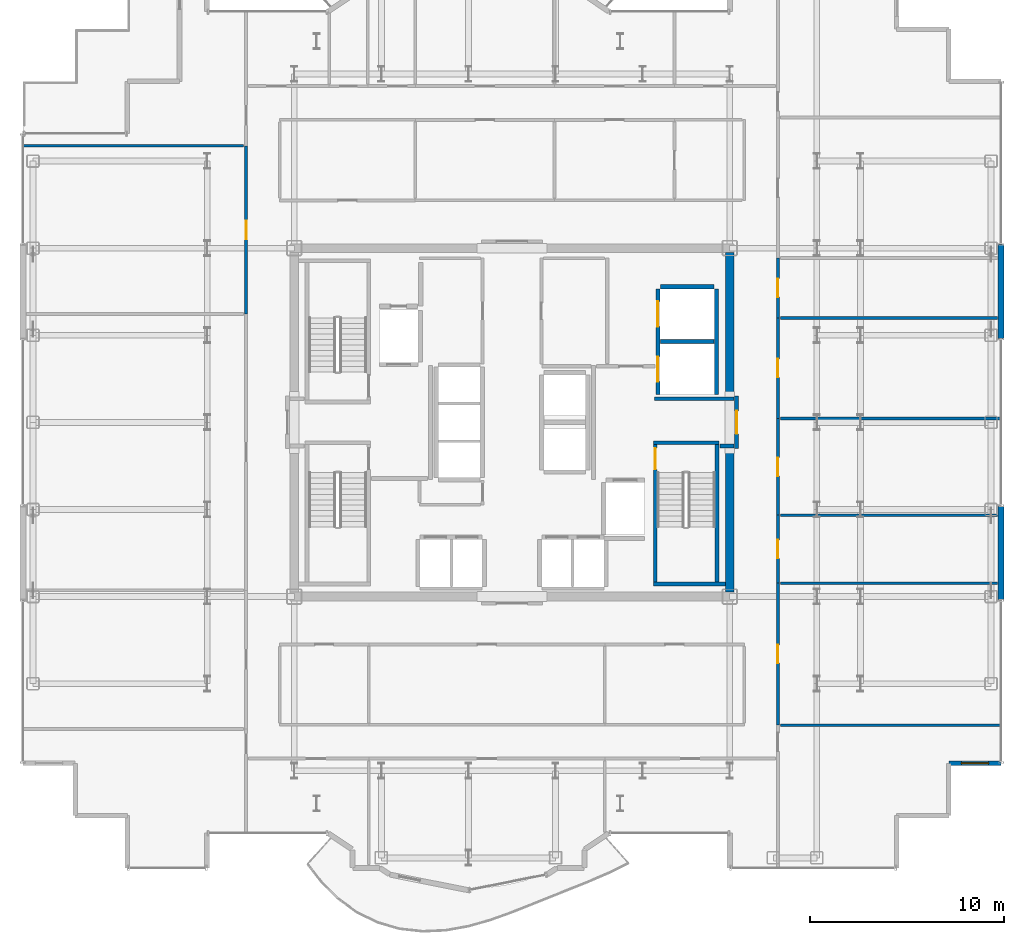
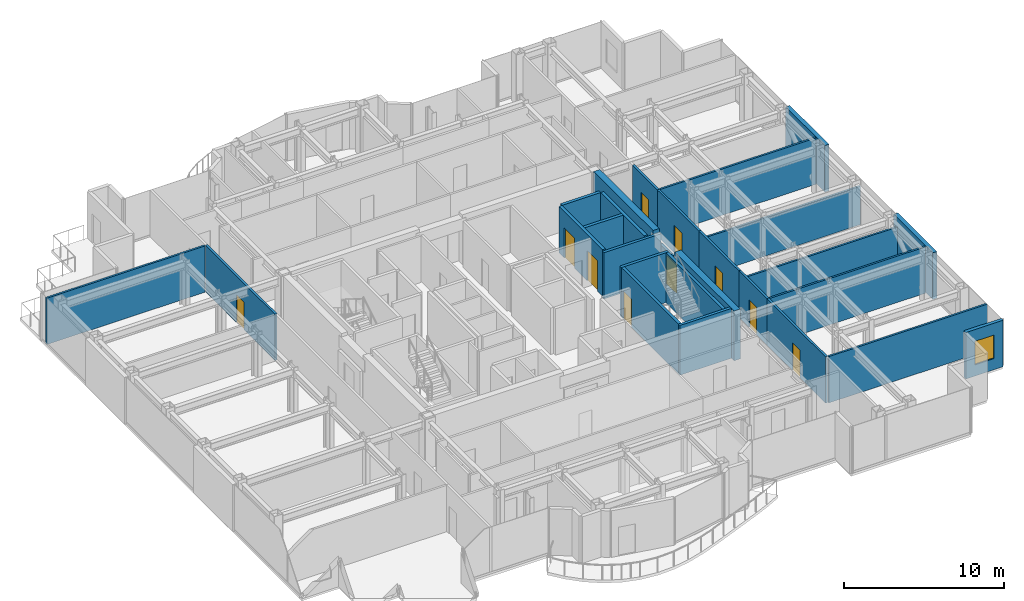
# One storey, part 18 of 22: 28 walls, 10 doors, 1 window, 11 openings.
"""IFC4 building model written with IfcOpenShell, lengths in metres."""

from ifc_helpers import new_model, si_unit, direction, frame, frame_2d, origin, place, context, subcontext, project, spatial, rectangle, extrude, source, transform, mapped, material, layer, layer_set, type_object, element, fill, save


model = new_model("IFC4")

# Units and contexts
model_context = context("Model", 3, precision=1e-05, world=origin(), true_north=direction((0.0, 1.0)))
body_context = subcontext(model_context, "Body", "Model", "MODEL_VIEW")
ifc_project = project(units=[si_unit("LENGTHUNIT", "METRE"), si_unit("AREAUNIT", "SQUARE_METRE"), si_unit("VOLUMEUNIT", "CUBIC_METRE"), si_unit("PLANEANGLEUNIT", "RADIAN"), si_unit("MASSUNIT", "GRAM", prefix="KILO")], contexts=[model_context])

# Site, building, storey
site_placement = place(None, origin())
site = spatial("IfcSite", under=ifc_project, at=site_placement, CompositionType="ELEMENT")
building_placement = place(site_placement, origin())
building = spatial("IfcBuilding", under=site, at=building_placement, Name="Nefas-Gora Pilgrimage Tower", CompositionType="ELEMENT")
storey_placement = place(building_placement, frame((0.0, 0.0, 240.800048828125)))
storey = spatial("IfcBuildingStorey", under=building, at=storey_placement, Name="L60", CompositionType="ELEMENT", Elevation=240.800048828125)

# Walls
ifc_material_1 = material(Name="Concrete C50/60", Category="concrete")
ifc_layer_1 = layer(ifc_material_1, 0.449951171875)
ifc_layer_set_1 = layer_set([ifc_layer_1], Name="Concrete C50/60")
wall_type_1 = type_object("IfcWallType", Name="SW-CORE-450", PredefinedType="SHEAR", material=ifc_layer_set_1)
shared_shape_1 = source(origin(), body_context, "Body", "SweptSolid", [
    extrude(rectangle(XDim=7.4248046875, YDim=0.449951171875, at=frame_2d((3.71240234375, 0.0))), origin(), (0.0, 0.0, 1.0), 3.800048828125),
])
for number, where, z_axis, x_axis, name in (
    (1, (11.25, -8.77490234375, 0.0), (0.0, 0.0, 1.0), (0.0, 1.0, 0.0), "L60 Core Shear Wall E-South"),
    (2, (11.25, 1.35009765625, 0.0), (0.0, 0.0, 1.0), (0.0, 1.0, 0.0), "L60 Core Shear Wall E-North"),
):
    element("IfcWall", number, at=place(storey_placement, frame(where, z_axis=z_axis, x_axis=x_axis)), inside=storey, type_object=wall_type_1, Name=name, PredefinedType="SHEAR", context=body_context, shape_type="MappedRepresentation", body=[
        mapped(shared_shape_1, transform((0.0, 0.0, 0.0), x_axis=(1.0, 0.0, 0.0), y_axis=(0.0, 1.0, 0.0), z_axis=(0.0, 0.0, 1.0), scale=1.0)),
    ])
ifc_material_2 = material(Name="Precast concrete C45/55", Category="concrete")
ifc_layer_2 = layer(ifc_material_2, 0.239990234375)
ifc_layer_set_2 = layer_set([ifc_layer_2], Name="Precast concrete C45/55")
wall_type_2 = type_object("IfcWallType", Name="EW-SERR-240", PredefinedType="SHEAR", material=ifc_layer_set_2)
shared_shape_2 = source(origin(), body_context, "Body", "SweptSolid", [
    extrude(rectangle(XDim=4.8798828125, YDim=0.300048828125, at=frame_2d((2.43994140625, 0.0))), origin(), (0.0, 0.0, 1.0), 3.550048828125),
])
for number, where, z_axis, x_axis, name in (
    (3, (25.27001953125, -9.18994140625, 0.0), (0.0, 0.0, 1.0), (0.0, 1.0, 0.0), "L60 Braced-Tube Precast Shear Cladding 3"),
    (4, (25.27001953125, 4.31005859375, 0.0), (0.0, 0.0, 1.0), (0.0, 1.0, 0.0), "L60 Braced-Tube Precast Shear Cladding 4"),
):
    element("IfcWall", number, at=place(storey_placement, frame(where, z_axis=z_axis, x_axis=x_axis)), inside=storey, type_object=wall_type_2, Name=name, PredefinedType="SHEAR", context=body_context, shape_type="MappedRepresentation", body=[
        mapped(shared_shape_2, transform((0.0, 0.0, 0.0), x_axis=(1.0, 0.0, 0.0), y_axis=(0.0, 1.0, 0.0), z_axis=(0.0, 0.0, 1.0), scale=1.0)),
    ])

# Wall, opening, window
shared_shape_3 = source(origin(), body_context, "Body", "SweptSolid", [
    extrude(rectangle(XDim=2.699951171875, YDim=0.239990234375, at=frame_2d((1.35009765625, 0.0))), origin(), (0.0, 0.0, 1.0), 3.550048828125),
])
wall_1_placement = place(storey_placement, frame((22.570068359375, -17.6201171875, 0.0), z_axis=(0.0, 0.0, 1.0), x_axis=(1.0, 0.0, 0.0)))
wall_1 = element("IfcWall", 5, at=wall_1_placement, inside=storey, type_object=wall_type_2, Name="L60 Serrated Corner Shear Pier Wall 9", PredefinedType="SHEAR", context=body_context, shape_type="MappedRepresentation", body=[
    mapped(shared_shape_3, transform((0.0, 0.0, 0.0), x_axis=(1.0, 0.0, 0.0), y_axis=(0.0, 1.0, 0.0), z_axis=(0.0, 0.0, 1.0), scale=1.0)),
])
opening_1_placement = place(wall_1_placement, frame((0.64990234375, 0.0, 0.85009765625)))
opening_1 = element("IfcOpeningElement", 6, at=opening_1_placement, cuts=wall_1, Name="Opening W-V2", PredefinedType="OPENING", context=body_context, shape_type="SweptSolid", body=[
    extrude(rectangle(XDim=1.39990234375, YDim=1.800048828125, at=frame_2d((0.699951171875, 0.89990234375))), frame((0.0, 0.1298828125, 0.0), z_axis=(0.0, -1.0, 0.0), x_axis=(1.0, 0.0, 0.0)), (0.0, 0.0, 1.0), 0.260009765625),
])
ifc_material_3 = material(Name="Dark ceramic-fritted operable aluminium-glass window", Category="aluminium")
window_type = type_object("IfcWindowType", Name="WIN-VENT-1400x1800", PartitioningType="SINGLE_PANEL", PredefinedType="WINDOW", material=ifc_material_3)
shared_shape_4 = source(origin(), body_context, "Body", "SweptSolid", [
    extrude(rectangle(XDim=1.39990234375, YDim=1.800048828125, at=frame_2d((0.699951171875, 0.89990234375))), frame((0.0, 0.030029296875, 0.0), z_axis=(0.0, -1.0, 0.0), x_axis=(1.0, 0.0, 0.0)), (0.0, 0.0, 1.0), 0.06005859375),
])
window_placement = place(opening_1_placement, origin())
window = element("IfcWindow", 7, at=window_placement, inside=storey, type_object=window_type, Name="L60 Operable Parallel-Outswing Window 9", OverallHeight=1.800048828125, OverallWidth=1.39990234375, PartitioningType="SINGLE_PANEL", PredefinedType="WINDOW", context=body_context, shape_type="MappedRepresentation", body=[
    mapped(shared_shape_4, transform((0.0, 0.0, 0.0), x_axis=(1.0, 0.0, 0.0), y_axis=(0.0, 1.0, 0.0), z_axis=(0.0, 0.0, 1.0), scale=1.0)),
])
fill(opening_1, window)

# Wall
ifc_material_4 = material(Name="Concrete C45/55", Category="concrete")
ifc_layer_3 = layer(ifc_material_4, 0.199951171875)
ifc_layer_set_3 = layer_set([ifc_layer_3], Name="Concrete C45/55")
wall_type_3 = type_object("IfcWallType", Name="IW-STAIR-200", PredefinedType="SOLIDWALL", material=ifc_layer_set_3)
shared_shape_5 = source(origin(), body_context, "Body", "SweptSolid", [
    extrude(rectangle(XDim=3.39990234375, YDim=0.199951171875, at=frame_2d((1.699951171875, 0.0))), origin(), (0.0, 0.0, 1.0), 3.800048828125),
])
wall_2_placement = place(storey_placement, frame((7.300048828125, -1.050048828125, 0.0), z_axis=(0.0, 0.0, 1.0), x_axis=(1.0, 0.0, 0.0)))
element("IfcWall", 8, at=wall_2_placement, inside=storey, type_object=wall_type_3, Name="L60 Stairwell Shear Wall ST-02-near", PredefinedType="SOLIDWALL", context=body_context, shape_type="MappedRepresentation", body=[
    mapped(shared_shape_5, transform((0.0, 0.0, 0.0), x_axis=(1.0, 0.0, 0.0), y_axis=(0.0, 1.0, 0.0), z_axis=(0.0, 0.0, 1.0), scale=1.0)),
])

# Wall, opening, door
shared_shape_6 = source(origin(), body_context, "Body", "SweptSolid", [
    extrude(rectangle(XDim=7.10009765625, YDim=0.199951171875, at=frame_2d((3.550048828125, 0.0))), origin(), (0.0, 0.0, 1.0), 3.800048828125),
])
wall_3_placement = place(storey_placement, frame((7.39990234375, -1.14990234375, 0.0), z_axis=(0.0, 0.0, 1.0), x_axis=(0.0, -1.0, 0.0)))
wall_3 = element("IfcWall", 9, at=wall_3_placement, inside=storey, type_object=wall_type_3, Name="L60 Stairwell Shear Wall ST-02-left", PredefinedType="SOLIDWALL", context=body_context, shape_type="MappedRepresentation", body=[
    mapped(shared_shape_6, transform((0.0, 0.0, 0.0), x_axis=(1.0, 0.0, 0.0), y_axis=(0.0, 1.0, 0.0), z_axis=(0.0, 0.0, 1.0), scale=1.0)),
])
opening_2_placement = place(wall_3_placement, frame((0.179931640625, 0.0, 0.0)))
opening_2 = element("IfcOpeningElement", 10, at=opening_2_placement, cuts=wall_3, Name="Opening ID-ST1", PredefinedType="OPENING", context=body_context, shape_type="SweptSolid", body=[
    extrude(rectangle(XDim=1.10009765625, YDim=2.14990234375, at=frame_2d((0.550048828125, 1.074951171875))), frame((0.0, 0.10986328125, 0.0), z_axis=(0.0, -1.0, 0.0), x_axis=(1.0, 0.0, 0.0)), (0.0, 0.0, 1.0), 0.219970703125),
])
ifc_material_5 = material(Name="Painted galvanised steel fire stair door", Category="steel")
door_type_1 = type_object("IfcDoorType", Name="DR-INT-STAIR-1100", OperationType="NOTDEFINED", PredefinedType="DOOR", material=ifc_material_5)
shared_shape_7 = source(origin(), body_context, "Body", "SweptSolid", [
    extrude(rectangle(XDim=1.10009765625, YDim=2.14990234375, at=frame_2d((0.550048828125, 1.074951171875))), frame((0.0, 0.02490234375, 0.0), z_axis=(0.0, -1.0, 0.0), x_axis=(1.0, 0.0, 0.0)), (0.0, 0.0, 1.0), 0.050048828125),
])
door_1_placement = place(opening_2_placement, origin())
door_1 = element("IfcDoor", 11, at=door_1_placement, inside=storey, type_object=door_type_1, Name="L60 Protected Exit Stair Door ST-02", OperationType="SINGLE_SWING_LEFT", OverallHeight=2.14990234375, OverallWidth=1.10009765625, PredefinedType="DOOR", context=body_context, shape_type="MappedRepresentation", body=[
    mapped(shared_shape_7, transform((0.0, 0.0, 0.0), x_axis=(1.0, 0.0, 0.0), y_axis=(0.0, 1.0, 0.0), z_axis=(0.0, 0.0, 1.0), scale=1.0)),
])
fill(opening_2, door_1)

# Walls
wall_4_placement = place(storey_placement, frame((10.60009765625, -1.14990234375, 0.0), z_axis=(0.0, 0.0, 1.0), x_axis=(0.0, -1.0, 0.0)))
element("IfcWall", 12, at=wall_4_placement, inside=storey, type_object=wall_type_3, Name="L60 Stairwell Shear Wall ST-02-right", PredefinedType="SOLIDWALL", context=body_context, shape_type="MappedRepresentation", body=[
    mapped(shared_shape_6, transform((0.0, 0.0, 0.0), x_axis=(1.0, 0.0, 0.0), y_axis=(0.0, 1.0, 0.0), z_axis=(0.0, 0.0, 1.0), scale=1.0)),
])
shared_shape_8 = source(origin(), body_context, "Body", "SweptSolid", [
    extrude(rectangle(XDim=3.72998046875, YDim=0.199951171875, at=frame_2d((1.864990234375, 0.0))), origin(), (0.0, 0.0, 1.0), 3.800048828125),
])
wall_5_placement = place(storey_placement, frame((7.300048828125, -8.35009765625, 0.0), z_axis=(0.0, 0.0, 1.0), x_axis=(1.0, 0.0, 0.0)))
element("IfcWall", 13, at=wall_5_placement, inside=storey, type_object=wall_type_3, Name="L60 Stairwell Shear Wall ST-02-far", PredefinedType="SOLIDWALL", context=body_context, shape_type="MappedRepresentation", body=[
    mapped(shared_shape_8, transform((0.0, 0.0, 0.0), x_axis=(1.0, 0.0, 0.0), y_axis=(0.0, 1.0, 0.0), z_axis=(0.0, 0.0, 1.0), scale=1.0)),
])

# Wall, openings, doors
ifc_material_6 = material(Name="Concrete C40/50", Category="concrete")
ifc_layer_4 = layer(ifc_material_6, 0.219970703125)
ifc_layer_set_4 = layer_set([ifc_layer_4], Name="Concrete C40/50")
wall_type_4 = type_object("IfcWallType", Name="IW-SHAFT-220", PredefinedType="SOLIDWALL", material=ifc_layer_set_4)
shared_shape_9 = source(origin(), body_context, "Body", "SweptSolid", [
    extrude(rectangle(XDim=5.449951171875, YDim=0.219970703125, at=frame_2d((2.72509765625, 0.0))), origin(), (0.0, 0.0, 1.0), 3.534912109375),
])
wall_6_placement = place(storey_placement, frame((7.5400390625, 6.89990234375, 0.0), z_axis=(0.0, 0.0, 1.0), x_axis=(0.0, -1.0, 0.0)))
wall_6 = element("IfcWall", 14, at=wall_6_placement, inside=storey, type_object=wall_type_4, Name="L60 Hoistway Wall SL-01-02-W", PredefinedType="SOLIDWALL", context=body_context, shape_type="MappedRepresentation", body=[
    mapped(shared_shape_9, transform((0.0, 0.0, 0.0), x_axis=(1.0, 0.0, 0.0), y_axis=(0.0, 1.0, 0.0), z_axis=(0.0, 0.0, 1.0), scale=1.0)),
])
opening_3_placement = place(wall_6_placement, frame((3.5, 0.0, 0.0)))
opening_3 = element("IfcOpeningElement", 15, at=opening_3_placement, cuts=wall_6, Name="Opening LD-SV", PredefinedType="OPENING", context=body_context, shape_type="SweptSolid", body=[
    extrude(rectangle(XDim=1.300048828125, YDim=2.300048828125, at=frame_2d((0.64990234375, 1.14990234375))), frame((0.0, 0.119873046875, 0.0), z_axis=(0.0, -1.0, 0.0), x_axis=(1.0, 0.0, 0.0)), (0.0, 0.0, 1.0), 0.239990234375),
])
opening_4_placement = place(wall_6_placement, frame((0.64990234375, 0.0, 0.0)))
opening_4 = element("IfcOpeningElement", 16, at=opening_4_placement, cuts=wall_6, Name="Opening LD-SV", PredefinedType="OPENING", context=body_context, shape_type="SweptSolid", body=[
    extrude(rectangle(XDim=1.300048828125, YDim=2.300048828125, at=frame_2d((0.64990234375, 1.14990234375))), frame((0.0, 0.119873046875, 0.0), z_axis=(0.0, -1.0, 0.0), x_axis=(1.0, 0.0, 0.0)), (0.0, 0.0, 1.0), 0.239990234375),
])
ifc_material_7 = material(Name="Heavy goods sliding lift landing door")
door_type_2 = type_object("IfcDoorType", Name="DR-LIFT-SERV-1300", OperationType="SLIDING_TO_RIGHT", PredefinedType="DOOR", material=ifc_material_7)
shared_shape_10 = source(origin(), body_context, "Body", "SweptSolid", [
    extrude(rectangle(XDim=1.300048828125, YDim=2.300048828125, at=frame_2d((0.64990234375, 1.14990234375))), frame((0.0, 0.02490234375, 0.0), z_axis=(0.0, -1.0, 0.0), x_axis=(1.0, 0.0, 0.0)), (0.0, 0.0, 1.0), 0.050048828125),
])
door_2_placement = place(opening_3_placement, origin())
door_2 = element("IfcDoor", 17, at=door_2_placement, inside=storey, type_object=door_type_2, Name="L60 Sliding Lift Landing Door SL-01", OperationType="SLIDING_TO_RIGHT", OverallHeight=2.300048828125, OverallWidth=1.300048828125, PredefinedType="DOOR", context=body_context, shape_type="MappedRepresentation", body=[
    mapped(shared_shape_10, transform((0.0, 0.0, 0.0), x_axis=(1.0, 0.0, 0.0), y_axis=(0.0, 1.0, 0.0), z_axis=(0.0, 0.0, 1.0), scale=1.0)),
])
fill(opening_3, door_2)
door_3_placement = place(opening_4_placement, origin())
door_3 = element("IfcDoor", 18, at=door_3_placement, inside=storey, type_object=door_type_2, Name="L60 Sliding Lift Landing Door SL-02", OperationType="SLIDING_TO_RIGHT", OverallHeight=2.300048828125, OverallWidth=1.300048828125, PredefinedType="DOOR", context=body_context, shape_type="MappedRepresentation", body=[
    mapped(shared_shape_10, transform((0.0, 0.0, 0.0), x_axis=(1.0, 0.0, 0.0), y_axis=(0.0, 1.0, 0.0), z_axis=(0.0, 0.0, 1.0), scale=1.0)),
])
fill(opening_4, door_3)

# Walls
wall_7_placement = place(storey_placement, frame((10.56005859375, 1.449951171875, 0.0), z_axis=(0.0, 0.0, 1.0), x_axis=(0.0, 1.0, 0.0)))
element("IfcWall", 19, at=wall_7_placement, inside=storey, type_object=wall_type_4, Name="L60 Hoistway Wall SL-01-02-E", PredefinedType="SOLIDWALL", context=body_context, shape_type="MappedRepresentation", body=[
    mapped(shared_shape_9, transform((0.0, 0.0, 0.0), x_axis=(1.0, 0.0, 0.0), y_axis=(0.0, 1.0, 0.0), z_axis=(0.0, 0.0, 1.0), scale=1.0)),
])
shared_shape_11 = source(origin(), body_context, "Body", "SweptSolid", [
    extrude(rectangle(XDim=2.780029296875, YDim=0.219970703125, at=frame_2d((1.39013671875, 0.0))), origin(), (0.0, 0.0, 1.0), 3.534912109375),
])
for number, where, z_axis, x_axis, name in (
    (20, (7.659912109375, 4.175048828125, 0.0), (0.0, 0.0, 1.0), (1.0, 0.0, 0.0), "L60 Hoistway Wall SL-01-02-DIV"),
    (21, (10.43994140625, 7.010009765625, 0.0), (0.0, 0.0, 1.0), (-1.0, 0.0, 0.0), "L60 Hoistway Wall SL-02-N"),
):
    element("IfcWall", number, at=place(storey_placement, frame(where, z_axis=z_axis, x_axis=x_axis)), inside=storey, type_object=wall_type_4, Name=name, PredefinedType="SOLIDWALL", context=body_context, shape_type="MappedRepresentation", body=[
        mapped(shared_shape_11, transform((0.0, 0.0, 0.0), x_axis=(1.0, 0.0, 0.0), y_axis=(0.0, 1.0, 0.0), z_axis=(0.0, 0.0, 1.0), scale=1.0)),
    ])
ifc_material_8 = material(Name="Gypsum fire-rated shaftwall")
ifc_layer_5 = layer(ifc_material_8, 0.199951171875)
ifc_layer_set_5 = layer_set([ifc_layer_5], Name="Gypsum fire-rated shaftwall")
wall_type_5 = type_object("IfcWallType", Name="IW-FFLOB-200", PredefinedType="PARTITIONING", material=ifc_layer_set_5)
shared_shape_12 = source(origin(), body_context, "Body", "SweptSolid", [
    extrude(rectangle(XDim=0.719970703125, YDim=0.199951171875, at=frame_2d((0.35986328125, 0.0))), origin(), (0.0, 0.0, 1.0), 3.534912109375),
])
wall_8_placement = place(storey_placement, frame((10.739990234375, -1.219970703125, 0.0), z_axis=(0.0, 0.0, 1.0), x_axis=(1.0, 0.0, 0.0)))
element("IfcWall", 22, at=wall_8_placement, inside=storey, type_object=wall_type_5, Name="L60 FF Lobby East Throat S Wall 14", PredefinedType="PARTITIONING", context=body_context, shape_type="MappedRepresentation", body=[
    mapped(shared_shape_12, transform((0.0, 0.0, 0.0), x_axis=(1.0, 0.0, 0.0), y_axis=(0.0, 1.0, 0.0), z_axis=(0.0, 0.0, 1.0), scale=1.0)),
])
shared_shape_13 = source(origin(), body_context, "Body", "SweptSolid", [
    extrude(rectangle(XDim=4.10986328125, YDim=0.199951171875, at=frame_2d((2.054931640625, 0.0))), origin(), (0.0, 0.0, 1.0), 3.534912109375),
])
wall_9_placement = place(storey_placement, frame((7.35009765625, 1.219970703125, 0.0), z_axis=(0.0, 0.0, 1.0), x_axis=(1.0, 0.0, 0.0)))
element("IfcWall", 23, at=wall_9_placement, inside=storey, type_object=wall_type_5, Name="L60 FF Lobby East Throat N Wall 13", PredefinedType="PARTITIONING", context=body_context, shape_type="MappedRepresentation", body=[
    mapped(shared_shape_13, transform((0.0, 0.0, 0.0), x_axis=(1.0, 0.0, 0.0), y_axis=(0.0, 1.0, 0.0), z_axis=(0.0, 0.0, 1.0), scale=1.0)),
])

# Wall, opening, door
ifc_material_9 = material(Name="Gypsum acoustic stud partition")
ifc_layer_6 = layer(ifc_material_9, 0.159912109375)
ifc_layer_set_6 = layer_set([ifc_layer_6], Name="Gypsum acoustic stud partition")
wall_type_6 = type_object("IfcWallType", Name="IW-CORR-160", PredefinedType="PARTITIONING", material=ifc_layer_set_6)
shared_shape_14 = source(origin(), body_context, "Body", "SweptSolid", [
    extrude(rectangle(XDim=3.510009765625, YDim=0.159912109375, at=frame_2d((1.7548828125, 0.0))), origin(), (0.0, 0.0, 1.0), 3.534912109375),
])
wall_10_placement = place(storey_placement, frame((13.739990234375, -8.304931640625, 0.0), z_axis=(0.0, 0.0, 1.0), x_axis=(0.0, 1.0, 0.0)))
wall_10 = element("IfcWall", 24, at=wall_10_placement, inside=storey, type_object=wall_type_6, Name="L60 Scripture Reading Study Partition Wall 41", PredefinedType="PARTITIONING", context=body_context, shape_type="MappedRepresentation", body=[
    mapped(shared_shape_14, transform((0.0, 0.0, 0.0), x_axis=(1.0, 0.0, 0.0), y_axis=(0.0, 1.0, 0.0), z_axis=(0.0, 0.0, 1.0), scale=1.0)),
])
opening_5_placement = place(wall_10_placement, frame((1.280029296875, 0.0, 0.0)))
opening_5 = element("IfcOpeningElement", 25, at=opening_5_placement, cuts=wall_10, Name="Opening ID-GR1", PredefinedType="OPENING", context=body_context, shape_type="SweptSolid", body=[
    extrude(rectangle(XDim=0.949951171875, YDim=2.10009765625, at=frame_2d((0.47509765625, 1.050048828125))), frame((0.0, 0.08984375, 0.0), z_axis=(0.0, -1.0, 0.0), x_axis=(1.0, 0.0, 0.0)), (0.0, 0.0, 1.0), 0.179931640625),
])
ifc_material_10 = material(Name="Solid core oak fire-rated guest entrance door")
door_type_3 = type_object("IfcDoorType", Name="DR-INT-GUEST-950", OperationType="NOTDEFINED", PredefinedType="DOOR", material=ifc_material_10)
shared_shape_15 = source(origin(), body_context, "Body", "SweptSolid", [
    extrude(rectangle(XDim=0.949951171875, YDim=2.10009765625, at=frame_2d((0.47509765625, 1.050048828125))), frame((0.0, 0.02490234375, 0.0), z_axis=(0.0, -1.0, 0.0), x_axis=(1.0, 0.0, 0.0)), (0.0, 0.0, 1.0), 0.050048828125),
])
door_4_placement = place(opening_5_placement, origin())
door_4 = element("IfcDoor", 26, at=door_4_placement, inside=storey, type_object=door_type_3, Name="L60 Scripture Reading Study Door 18", OperationType="SINGLE_SWING_RIGHT", OverallHeight=2.10009765625, OverallWidth=0.949951171875, PredefinedType="DOOR", context=body_context, shape_type="MappedRepresentation", body=[
    mapped(shared_shape_15, transform((0.0, 0.0, 0.0), x_axis=(1.0, 0.0, 0.0), y_axis=(0.0, 1.0, 0.0), z_axis=(0.0, 0.0, 1.0), scale=1.0)),
])
fill(opening_5, door_4)

shared_shape_16 = source(origin(), body_context, "Body", "SweptSolid", [
    extrude(rectangle(XDim=3.10986328125, YDim=0.159912109375, at=frame_2d((1.554931640625, 0.0))), origin(), (0.0, 0.0, 1.0), 3.534912109375),
])
wall_11_placement = place(storey_placement, frame((13.739990234375, 5.39501953125, 0.0), z_axis=(0.0, 0.0, 1.0), x_axis=(0.0, 1.0, 0.0)))
wall_11 = element("IfcWall", 27, at=wall_11_placement, inside=storey, type_object=wall_type_6, Name="L60 Pilgrim Contemplative Lounge Partition Wall 47", PredefinedType="PARTITIONING", context=body_context, shape_type="MappedRepresentation", body=[
    mapped(shared_shape_16, transform((0.0, 0.0, 0.0), x_axis=(1.0, 0.0, 0.0), y_axis=(0.0, 1.0, 0.0), z_axis=(0.0, 0.0, 1.0), scale=1.0)),
])
opening_6_placement = place(wall_11_placement, frame((1.080078125, 0.0, 0.0)))
opening_6 = element("IfcOpeningElement", 28, at=opening_6_placement, cuts=wall_11, Name="Opening ID-GR1", PredefinedType="OPENING", context=body_context, shape_type="SweptSolid", body=[
    extrude(rectangle(XDim=0.949951171875, YDim=2.10009765625, at=frame_2d((0.47509765625, 1.050048828125))), frame((0.0, 0.08984375, 0.0), z_axis=(0.0, -1.0, 0.0), x_axis=(1.0, 0.0, 0.0)), (0.0, 0.0, 1.0), 0.179931640625),
])
door_5_placement = place(opening_6_placement, origin())
door_5 = element("IfcDoor", 29, at=door_5_placement, inside=storey, type_object=door_type_3, Name="L60 Pilgrim Contemplative Lounge Door 21", OperationType="SINGLE_SWING_LEFT", OverallHeight=2.10009765625, OverallWidth=0.949951171875, PredefinedType="DOOR", context=body_context, shape_type="MappedRepresentation", body=[
    mapped(shared_shape_15, transform((0.0, 0.0, 0.0), x_axis=(1.0, 0.0, 0.0), y_axis=(0.0, 1.0, 0.0), z_axis=(0.0, 0.0, 1.0), scale=1.0)),
])
fill(opening_6, door_5)

# Walls
ifc_material_11 = material(Name="Gypsum twin-stud partition")
ifc_layer_7 = layer(ifc_material_11, 0.139892578125)
ifc_layer_set_7 = layer_set([ifc_layer_7], Name="Gypsum twin-stud partition")
wall_type_7 = type_object("IfcWallType", Name="IW-UNIT-140", PredefinedType="PARTITIONING", material=ifc_layer_set_7)
shared_shape_17 = source(origin(), body_context, "Body", "SweptSolid", [
    extrude(rectangle(XDim=11.429931640625, YDim=0.139892578125, at=frame_2d((5.71484375, 0.0))), origin(), (0.0, 0.0, 1.0), 3.534912109375),
])
for number, where, z_axis, x_axis, name in (
    (30, (-25.2900390625, 14.297607421875, 0.0), (0.0, 0.0, 1.0), (1.0, 0.0, 0.0), "L60 Pastoral Chaplains Counselling Office Partition Wall 35"),
    (31, (13.860107421875, -15.6474609375, 0.0), (0.0, 0.0, 1.0), (1.0, 0.0, 0.0), "L60 Pilgrim Tea and Beverage Pantry Partition Wall 38"),
):
    element("IfcWall", number, at=place(storey_placement, frame(where, z_axis=z_axis, x_axis=x_axis)), inside=storey, type_object=wall_type_7, Name=name, PredefinedType="PARTITIONING", context=body_context, shape_type="MappedRepresentation", body=[
        mapped(shared_shape_17, transform((0.0, 0.0, 0.0), x_axis=(1.0, 0.0, 0.0), y_axis=(0.0, 1.0, 0.0), z_axis=(0.0, 0.0, 1.0), scale=1.0)),
    ])
shared_shape_18 = source(origin(), body_context, "Body", "SweptSolid", [
    extrude(rectangle(XDim=11.219970703125, YDim=0.139892578125, at=frame_2d((5.60986328125, 0.0))), origin(), (0.0, 0.0, 1.0), 3.534912109375),
])
for number, where, z_axis, x_axis, name in (
    (32, (13.860107421875, -8.304931640625, 0.0), (0.0, 0.0, 1.0), (1.0, 0.0, 0.0), "L60 Pilgrim Tea and Beverage Pantry Partition Wall 40"),
    (33, (13.860107421875, 5.39501953125, 0.0), (0.0, 0.0, 1.0), (1.0, 0.0, 0.0), "L60 Pilgrim Fellowship Seminar Room Partition Wall 46"),
):
    element("IfcWall", number, at=place(storey_placement, frame(where, z_axis=z_axis, x_axis=x_axis)), inside=storey, type_object=wall_type_7, Name=name, PredefinedType="PARTITIONING", context=body_context, shape_type="MappedRepresentation", body=[
        mapped(shared_shape_18, transform((0.0, 0.0, 0.0), x_axis=(1.0, 0.0, 0.0), y_axis=(0.0, 1.0, 0.0), z_axis=(0.0, 0.0, 1.0), scale=1.0)),
    ])

# Wall, opening, door
shared_shape_19 = source(origin(), body_context, "Body", "SweptSolid", [
    extrude(rectangle(XDim=5.010009765625, YDim=0.159912109375, at=frame_2d((2.5048828125, 0.0))), origin(), (0.0, 0.0, 1.0), 3.534912109375),
])
wall_12_placement = place(storey_placement, frame((13.739990234375, -4.804931640625, 0.0), z_axis=(0.0, 0.0, 1.0), x_axis=(0.0, 1.0, 0.0)))
wall_12 = element("IfcWall", 34, at=wall_12_placement, inside=storey, type_object=wall_type_6, Name="L60 Pilgrim Tea and Beverage Pantry Partition Wall 43", PredefinedType="PARTITIONING", context=body_context, shape_type="MappedRepresentation", body=[
    mapped(shared_shape_19, transform((0.0, 0.0, 0.0), x_axis=(1.0, 0.0, 0.0), y_axis=(0.0, 1.0, 0.0), z_axis=(0.0, 0.0, 1.0), scale=1.0)),
])
opening_7_placement = place(wall_12_placement, frame((2.030029296875, 0.0, 0.0)))
opening_7 = element("IfcOpeningElement", 35, at=opening_7_placement, cuts=wall_12, Name="Opening ID-GR1", PredefinedType="OPENING", context=body_context, shape_type="SweptSolid", body=[
    extrude(rectangle(XDim=0.949951171875, YDim=2.10009765625, at=frame_2d((0.47509765625, 1.050048828125))), frame((0.0, 0.08984375, 0.0), z_axis=(0.0, -1.0, 0.0), x_axis=(1.0, 0.0, 0.0)), (0.0, 0.0, 1.0), 0.179931640625),
])
door_6_placement = place(opening_7_placement, origin())
door_6 = element("IfcDoor", 36, at=door_6_placement, inside=storey, type_object=door_type_3, Name="L60 Pilgrim Tea and Beverage Pantry Door 19", OperationType="SINGLE_SWING_LEFT", OverallHeight=2.10009765625, OverallWidth=0.949951171875, PredefinedType="DOOR", context=body_context, shape_type="MappedRepresentation", body=[
    mapped(shared_shape_15, transform((0.0, 0.0, 0.0), x_axis=(1.0, 0.0, 0.0), y_axis=(0.0, 1.0, 0.0), z_axis=(0.0, 0.0, 1.0), scale=1.0)),
])
fill(opening_7, door_6)

shared_shape_20 = source(origin(), body_context, "Body", "SweptSolid", [
    extrude(rectangle(XDim=2.7001953125, YDim=0.199951171875, at=frame_2d((1.35009765625, 0.0))), origin(), (0.0, 0.0, 1.0), 2.625),
])
wall_13_placement = place(storey_placement, frame((11.60009765625, -1.35009765625, 0.0), z_axis=(0.0, 0.0, 1.0), x_axis=(0.0, 1.0, 0.0)))
wall_13 = element("IfcWall", 37, at=wall_13_placement, inside=storey, type_object=wall_type_5, Name="L60 FF Lobby East Portal Wall 9", PredefinedType="PARTITIONING", context=body_context, shape_type="MappedRepresentation", body=[
    mapped(shared_shape_20, transform((0.0, 0.0, 0.0), x_axis=(1.0, 0.0, 0.0), y_axis=(0.0, 1.0, 0.0), z_axis=(0.0, 0.0, 1.0), scale=1.0)),
])
opening_8_placement = place(wall_13_placement, frame((0.75, 0.0, 0.0)))
opening_8 = element("IfcOpeningElement", 38, at=opening_8_placement, cuts=wall_13, Name="Opening ID-FF1", PredefinedType="OPENING", context=body_context, shape_type="SweptSolid", body=[
    extrude(rectangle(XDim=1.199951171875, YDim=2.14990234375, at=frame_2d((0.60009765625, 1.074951171875))), frame((0.0, 0.10986328125, 0.0), z_axis=(0.0, -1.0, 0.0), x_axis=(1.0, 0.0, 0.0)), (0.0, 0.0, 1.0), 0.219970703125),
])
ifc_material_12 = material(Name="Smoke-sealed steel firefighting lobby door", Category="steel")
door_type_4 = type_object("IfcDoorType", Name="DR-INT-FFLOB-1200", OperationType="NOTDEFINED", PredefinedType="DOOR", material=ifc_material_12)
shared_shape_21 = source(origin(), body_context, "Body", "SweptSolid", [
    extrude(rectangle(XDim=1.199951171875, YDim=2.14990234375, at=frame_2d((0.60009765625, 1.074951171875))), frame((0.0, 0.02490234375, 0.0), z_axis=(0.0, -1.0, 0.0), x_axis=(1.0, 0.0, 0.0)), (0.0, 0.0, 1.0), 0.050048828125),
])
door_7_placement = place(opening_8_placement, origin())
door_7 = element("IfcDoor", 39, at=door_7_placement, inside=storey, type_object=door_type_4, Name="L60 FF Lobby East Portal Door 3", OperationType="SINGLE_SWING_LEFT", OverallHeight=2.14990234375, OverallWidth=1.199951171875, PredefinedType="DOOR", context=body_context, shape_type="MappedRepresentation", body=[
    mapped(shared_shape_21, transform((0.0, 0.0, 0.0), x_axis=(1.0, 0.0, 0.0), y_axis=(0.0, 1.0, 0.0), z_axis=(0.0, 0.0, 1.0), scale=1.0)),
])
fill(opening_8, door_7)

shared_shape_22 = source(origin(), body_context, "Body", "SweptSolid", [
    extrude(rectangle(XDim=7.342529296875, YDim=0.159912109375, at=frame_2d((3.67138671875, 0.0))), origin(), (0.0, 0.0, 1.0), 3.534912109375),
])
wall_14_placement = place(storey_placement, frame((13.739990234375, -15.637451171875, 0.0), z_axis=(0.0, 0.0, 1.0), x_axis=(0.0, 1.0, 0.0)))
wall_14 = element("IfcWall", 40, at=wall_14_placement, inside=storey, type_object=wall_type_6, Name="L60 Pilgrim Tea and Beverage Pantry Partition Wall 39", PredefinedType="PARTITIONING", context=body_context, shape_type="MappedRepresentation", body=[
    mapped(shared_shape_22, transform((0.0, 0.0, 0.0), x_axis=(1.0, 0.0, 0.0), y_axis=(0.0, 1.0, 0.0), z_axis=(0.0, 0.0, 1.0), scale=1.0)),
])
opening_9_placement = place(wall_14_placement, frame((3.1962890625, 0.0, 0.0)))
opening_9 = element("IfcOpeningElement", 41, at=opening_9_placement, cuts=wall_14, Name="Opening ID-GR1", PredefinedType="OPENING", context=body_context, shape_type="SweptSolid", body=[
    extrude(rectangle(XDim=0.949951171875, YDim=2.10009765625, at=frame_2d((0.47509765625, 1.050048828125))), frame((0.0, 0.08984375, 0.0), z_axis=(0.0, -1.0, 0.0), x_axis=(1.0, 0.0, 0.0)), (0.0, 0.0, 1.0), 0.179931640625),
])
door_8_placement = place(opening_9_placement, origin())
door_8 = element("IfcDoor", 42, at=door_8_placement, inside=storey, type_object=door_type_3, Name="L60 Pilgrim Tea and Beverage Pantry Door 17", OperationType="SINGLE_SWING_LEFT", OverallHeight=2.10009765625, OverallWidth=0.949951171875, PredefinedType="DOOR", context=body_context, shape_type="MappedRepresentation", body=[
    mapped(shared_shape_15, transform((0.0, 0.0, 0.0), x_axis=(1.0, 0.0, 0.0), y_axis=(0.0, 1.0, 0.0), z_axis=(0.0, 0.0, 1.0), scale=1.0)),
])
fill(opening_9, door_8)

# Walls
shared_shape_23 = source(origin(), body_context, "Body", "SweptSolid", [
    extrude(rectangle(XDim=11.429931640625, YDim=0.139892578125, at=frame_2d((5.71484375, 0.0))), origin(), (0.0, 0.0, 1.0), 2.925048828125),
])
wall_15_placement = place(storey_placement, frame((13.860107421875, 0.195068359375, 0.0), z_axis=(0.0, 0.0, 1.0), x_axis=(1.0, 0.0, 0.0)))
element("IfcWall", 43, at=wall_15_placement, inside=storey, type_object=wall_type_7, Name="L60 Pilgrim Tea and Beverage Pantry Partition Wall 44", PredefinedType="PARTITIONING", context=body_context, shape_type="MappedRepresentation", body=[
    mapped(shared_shape_23, transform((0.0, 0.0, 0.0), x_axis=(1.0, 0.0, 0.0), y_axis=(0.0, 1.0, 0.0), z_axis=(0.0, 0.0, 1.0), scale=1.0)),
])
shared_shape_24 = source(origin(), body_context, "Body", "SweptSolid", [
    extrude(rectangle(XDim=11.219970703125, YDim=0.139892578125, at=frame_2d((5.60986328125, 0.0))), origin(), (0.0, 0.0, 1.0), 2.925048828125),
])
wall_16_placement = place(storey_placement, frame((13.860107421875, -4.804931640625, 0.0), z_axis=(0.0, 0.0, 1.0), x_axis=(1.0, 0.0, 0.0)))
element("IfcWall", 44, at=wall_16_placement, inside=storey, type_object=wall_type_7, Name="L60 Scripture Reading Study Partition Wall 42", PredefinedType="PARTITIONING", context=body_context, shape_type="MappedRepresentation", body=[
    mapped(shared_shape_24, transform((0.0, 0.0, 0.0), x_axis=(1.0, 0.0, 0.0), y_axis=(0.0, 1.0, 0.0), z_axis=(0.0, 0.0, 1.0), scale=1.0)),
])

# Wall, opening, door
shared_shape_25 = source(origin(), body_context, "Body", "SweptSolid", [
    extrude(rectangle(XDim=8.692626953125, YDim=0.159912109375, at=frame_2d((4.34619140625, 0.0))), origin(), (0.0, 0.0, 1.0), 3.534912109375),
])
wall_17_placement = place(storey_placement, frame((-13.739990234375, 5.594970703125, 0.0), z_axis=(0.0, 0.0, 1.0), x_axis=(0.0, 1.0, 0.0)))
wall_17 = element("IfcWall", 45, at=wall_17_placement, inside=storey, type_object=wall_type_6, Name="L60 Pilgrim Tea and Beverage Pantry Partition Wall 36", PredefinedType="PARTITIONING", context=body_context, shape_type="MappedRepresentation", body=[
    mapped(shared_shape_25, transform((0.0, 0.0, 0.0), x_axis=(1.0, 0.0, 0.0), y_axis=(0.0, 1.0, 0.0), z_axis=(0.0, 0.0, 1.0), scale=1.0)),
])
opening_10_placement = place(wall_17_placement, frame((3.87109375, 0.0, 0.0)))
opening_10 = element("IfcOpeningElement", 46, at=opening_10_placement, cuts=wall_17, Name="Opening ID-GR1", PredefinedType="OPENING", context=body_context, shape_type="SweptSolid", body=[
    extrude(rectangle(XDim=0.949951171875, YDim=2.10009765625, at=frame_2d((0.47509765625, 1.050048828125))), frame((0.0, 0.08984375, 0.0), z_axis=(0.0, -1.0, 0.0), x_axis=(1.0, 0.0, 0.0)), (0.0, 0.0, 1.0), 0.179931640625),
])
door_9_placement = place(opening_10_placement, origin())
door_9 = element("IfcDoor", 47, at=door_9_placement, inside=storey, type_object=door_type_3, Name="L60 Pilgrim Tea and Beverage Pantry Door 15", OperationType="SINGLE_SWING_LEFT", OverallHeight=2.10009765625, OverallWidth=0.949951171875, PredefinedType="DOOR", context=body_context, shape_type="MappedRepresentation", body=[
    mapped(shared_shape_15, transform((0.0, 0.0, 0.0), x_axis=(1.0, 0.0, 0.0), y_axis=(0.0, 1.0, 0.0), z_axis=(0.0, 0.0, 1.0), scale=1.0)),
])
fill(opening_10, door_9)

shared_shape_26 = source(origin(), body_context, "Body", "SweptSolid", [
    extrude(rectangle(XDim=5.2099609375, YDim=0.159912109375, at=frame_2d((2.60498046875, 0.0))), origin(), (0.0, 0.0, 1.0), 3.534912109375),
])
wall_18_placement = place(storey_placement, frame((13.739990234375, 0.195068359375, 0.0), z_axis=(0.0, 0.0, 1.0), x_axis=(0.0, 1.0, 0.0)))
wall_18 = element("IfcWall", 48, at=wall_18_placement, inside=storey, type_object=wall_type_6, Name="L60 Pilgrim Fellowship Seminar Room Partition Wall 45", PredefinedType="PARTITIONING", context=body_context, shape_type="MappedRepresentation", body=[
    mapped(shared_shape_26, transform((0.0, 0.0, 0.0), x_axis=(1.0, 0.0, 0.0), y_axis=(0.0, 1.0, 0.0), z_axis=(0.0, 0.0, 1.0), scale=1.0)),
])
opening_11_placement = place(wall_18_placement, frame((2.1298828125, 0.0, 0.0)))
opening_11 = element("IfcOpeningElement", 49, at=opening_11_placement, cuts=wall_18, Name="Opening ID-GR1", PredefinedType="OPENING", context=body_context, shape_type="SweptSolid", body=[
    extrude(rectangle(XDim=0.949951171875, YDim=2.10009765625, at=frame_2d((0.47509765625, 1.050048828125))), frame((0.0, 0.08984375, 0.0), z_axis=(0.0, -1.0, 0.0), x_axis=(1.0, 0.0, 0.0)), (0.0, 0.0, 1.0), 0.179931640625),
])
door_10_placement = place(opening_11_placement, origin())
door_10 = element("IfcDoor", 50, at=door_10_placement, inside=storey, type_object=door_type_3, Name="L60 Pilgrim Fellowship Seminar Room Door 20", OperationType="SINGLE_SWING_RIGHT", OverallHeight=2.10009765625, OverallWidth=0.949951171875, PredefinedType="DOOR", context=body_context, shape_type="MappedRepresentation", body=[
    mapped(shared_shape_15, transform((0.0, 0.0, 0.0), x_axis=(1.0, 0.0, 0.0), y_axis=(0.0, 1.0, 0.0), z_axis=(0.0, 0.0, 1.0), scale=1.0)),
])
fill(opening_11, door_10)

save(model, "model.ifc")
